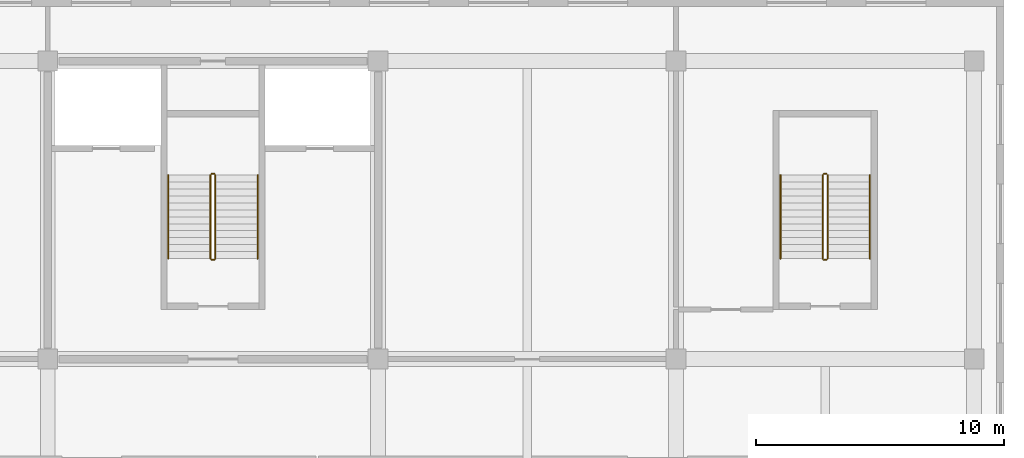
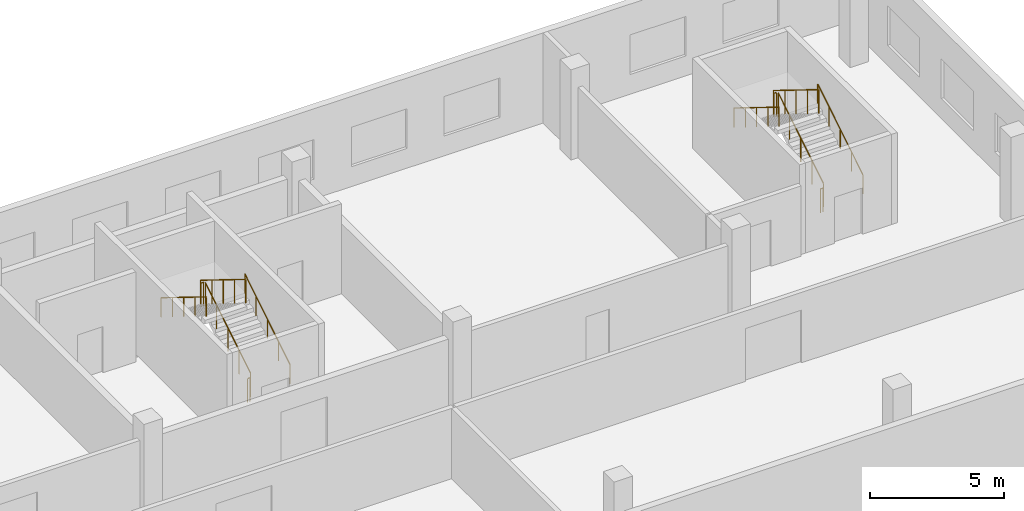
# One storey, part 38 of 38: 12 railings.
"""IFC4 building model written with IfcOpenShell, lengths in metres."""

from ifc_helpers import new_model, si_unit, direction, frame, origin, origin_2d, place, context, subcontext, project, spatial, circle, extrude, material, type_object, element, save


model = new_model("IFC4")

# Units and contexts
model_context = context("Model", 3, precision=1e-05, world=origin(), true_north=direction((0.0, 1.0)))
body_context = subcontext(model_context, "Body", "Model", "MODEL_VIEW")
ifc_project = project(units=[si_unit("LENGTHUNIT", "METRE"), si_unit("AREAUNIT", "SQUARE_METRE"), si_unit("VOLUMEUNIT", "CUBIC_METRE"), si_unit("PLANEANGLEUNIT", "RADIAN"), si_unit("MASSUNIT", "GRAM", prefix="KILO")], contexts=[model_context])

# Site, building, storey
site_placement = place(None, origin())
site = spatial("IfcSite", under=ifc_project, at=site_placement, CompositionType="ELEMENT")
building_placement = place(site_placement, origin())
building = spatial("IfcBuilding", under=site, at=building_placement, Name="Kilnfold Tower and Market Hall", CompositionType="ELEMENT")
storey_placement = place(building_placement, frame((0.0, 0.0, 9.0)))
storey = spatial("IfcBuildingStorey", under=building, at=storey_placement, Name="L01", CompositionType="ELEMENT", Elevation=9.0)

# Railings
ifc_material_1 = material(Name="Steel S355", Category="steel")
railing_type_1 = type_object("IfcRailingType", Name="HALL STAIR GUARD 1100", PredefinedType="GUARDRAIL", material=ifc_material_1)
railing_1_placement = place(storey_placement, frame((24.10009765625, 46.699951171875, 0.173095703125)))
element("IfcRailing", 1, at=railing_1_placement, inside=storey, type_object=railing_type_1, Name="L01 MS5 stair guard 1", PredefinedType="GUARDRAIL", context=body_context, shape_type="SweptSolid", body=[
    extrude(circle(Radius=0.02392578125, at=origin_2d()), frame((0.0, 0.0, 1.076171875), z_axis=(0.0, 0.850623216509, 0.525775754039), x_axis=(-1.0, 0.0, 0.0)), (0.0, 0.0, 1.0), 3.9501953125),
    extrude(circle(Radius=0.02099609375, at=origin_2d()), origin(), (0.0, 0.0, 1.0), 1.052001953125),
    extrude(circle(Radius=0.02099609375, at=origin_2d()), frame((0.0, 0.840087890625, 0.519287109375)), (0.0, 0.0, 1.0), 1.052001953125),
    extrude(circle(Radius=0.02099609375, at=origin_2d()), frame((0.0, 1.68017578125, 1.03857421875)), (0.0, 0.0, 1.0), 1.052001953125),
    extrude(circle(Radius=0.02099609375, at=origin_2d()), frame((0.0, 2.52001953125, 1.5576171875)), (0.0, 0.0, 1.0), 1.052001953125),
    extrude(circle(Radius=0.02099609375, at=origin_2d()), frame((0.0, 3.360107421875, 2.076904296875)), (0.0, 0.0, 1.0), 1.052001953125),
])
railing_2_placement = place(storey_placement, frame((24.050048828125, 50.110107421875, 2.25)))
element("IfcRailing", 2, at=railing_2_placement, inside=storey, type_object=railing_type_1, Name="L01 MS5 stair guard 2", PredefinedType="GUARDRAIL", context=body_context, shape_type="SweptSolid", body=[
    extrude(circle(Radius=0.02392578125, at=origin_2d()), frame((0.0, 0.0, 1.076171875), z_axis=(-1.0, 0.0, 0.0), x_axis=(0.0, -1.0, 0.0)), (0.0, 0.0, 1.0), 0.10009765625),
    extrude(circle(Radius=0.02099609375, at=origin_2d()), origin(), (0.0, 0.0, 1.0), 1.052001953125),
    extrude(circle(Radius=0.02099609375, at=origin_2d()), frame((-0.10009765625, 0.0, 0.0)), (0.0, 0.0, 1.0), 1.052001953125),
])
railing_3_placement = place(storey_placement, frame((23.89990234375, 50.06005859375, 2.423095703125)))
element("IfcRailing", 3, at=railing_3_placement, inside=storey, type_object=railing_type_1, Name="L01 MS5 stair guard 3", PredefinedType="GUARDRAIL", context=body_context, shape_type="SweptSolid", body=[
    extrude(circle(Radius=0.02392578125, at=origin_2d()), frame((0.0, 0.0, 1.076171875), z_axis=(0.0, -0.850623216509, 0.525775754039), x_axis=(1.0, 0.0, 0.0)), (0.0, 0.0, 1.0), 3.9501953125),
    extrude(circle(Radius=0.02099609375, at=origin_2d()), origin(), (0.0, 0.0, 1.0), 1.052001953125),
    extrude(circle(Radius=0.02099609375, at=origin_2d()), frame((0.0, -0.840087890625, 0.519287109375)), (0.0, 0.0, 1.0), 1.052001953125),
    extrude(circle(Radius=0.02099609375, at=origin_2d()), frame((0.0, -1.68017578125, 1.03857421875)), (0.0, 0.0, 1.0), 1.052001953125),
    extrude(circle(Radius=0.02099609375, at=origin_2d()), frame((0.0, -2.52001953125, 1.5576171875)), (0.0, 0.0, 1.0), 1.052001953125),
    extrude(circle(Radius=0.02099609375, at=origin_2d()), frame((0.0, -3.360107421875, 2.076904296875)), (0.0, 0.0, 1.0), 1.052001953125),
])
railing_4_placement = place(storey_placement, frame((24.050048828125, 46.64990234375, 0.0)))
element("IfcRailing", 4, at=railing_4_placement, inside=storey, type_object=railing_type_1, Name="L01 MS5 stair guard 4", PredefinedType="GUARDRAIL", context=body_context, shape_type="SweptSolid", body=[
    extrude(circle(Radius=0.02392578125, at=origin_2d()), frame((0.0, 0.0, 1.076171875), z_axis=(-1.0, 0.0, 0.0), x_axis=(0.0, -1.0, 0.0)), (0.0, 0.0, 1.0), 0.10009765625),
    extrude(circle(Radius=0.02099609375, at=origin_2d()), origin(), (0.0, 0.0, 1.0), 1.052001953125),
    extrude(circle(Radius=0.02099609375, at=origin_2d()), frame((-0.10009765625, 0.0, 0.0)), (0.0, 0.0, 1.0), 1.052001953125),
])
railing_5_placement = place(storey_placement, frame((48.75, 46.699951171875, 0.173095703125)))
element("IfcRailing", 5, at=railing_5_placement, inside=storey, type_object=railing_type_1, Name="L01 MS6 stair guard 1", PredefinedType="GUARDRAIL", context=body_context, shape_type="SweptSolid", body=[
    extrude(circle(Radius=0.02392578125, at=origin_2d()), frame((0.0, 0.0, 1.076171875), z_axis=(0.0, 0.850623216509, 0.525775754039), x_axis=(-1.0, 0.0, 0.0)), (0.0, 0.0, 1.0), 3.9501953125),
    extrude(circle(Radius=0.02099609375, at=origin_2d()), origin(), (0.0, 0.0, 1.0), 1.052001953125),
    extrude(circle(Radius=0.02099609375, at=origin_2d()), frame((0.0, 0.840087890625, 0.519287109375)), (0.0, 0.0, 1.0), 1.052001953125),
    extrude(circle(Radius=0.02099609375, at=origin_2d()), frame((0.0, 1.68017578125, 1.03857421875)), (0.0, 0.0, 1.0), 1.052001953125),
    extrude(circle(Radius=0.02099609375, at=origin_2d()), frame((0.0, 2.52001953125, 1.5576171875)), (0.0, 0.0, 1.0), 1.052001953125),
    extrude(circle(Radius=0.02099609375, at=origin_2d()), frame((0.0, 3.360107421875, 2.076904296875)), (0.0, 0.0, 1.0), 1.052001953125),
])
railing_6_placement = place(storey_placement, frame((48.699951171875, 50.110107421875, 2.25)))
element("IfcRailing", 6, at=railing_6_placement, inside=storey, type_object=railing_type_1, Name="L01 MS6 stair guard 2", PredefinedType="GUARDRAIL", context=body_context, shape_type="SweptSolid", body=[
    extrude(circle(Radius=0.02392578125, at=origin_2d()), frame((0.0, 0.0, 1.076171875), z_axis=(-1.0, 0.0, 0.0), x_axis=(0.0, -1.0, 0.0)), (0.0, 0.0, 1.0), 0.099853515625),
    extrude(circle(Radius=0.02099609375, at=origin_2d()), origin(), (0.0, 0.0, 1.0), 1.052001953125),
    extrude(circle(Radius=0.02099609375, at=origin_2d()), frame((-0.099853515625, 0.0, 0.0)), (0.0, 0.0, 1.0), 1.052001953125),
])
railing_7_placement = place(storey_placement, frame((48.550048828125, 50.06005859375, 2.423095703125)))
element("IfcRailing", 7, at=railing_7_placement, inside=storey, type_object=railing_type_1, Name="L01 MS6 stair guard 3", PredefinedType="GUARDRAIL", context=body_context, shape_type="SweptSolid", body=[
    extrude(circle(Radius=0.02392578125, at=origin_2d()), frame((0.0, 0.0, 1.076171875), z_axis=(0.0, -0.850623216509, 0.525775754039), x_axis=(1.0, 0.0, 0.0)), (0.0, 0.0, 1.0), 3.9501953125),
    extrude(circle(Radius=0.02099609375, at=origin_2d()), origin(), (0.0, 0.0, 1.0), 1.052001953125),
    extrude(circle(Radius=0.02099609375, at=origin_2d()), frame((0.0, -0.840087890625, 0.519287109375)), (0.0, 0.0, 1.0), 1.052001953125),
    extrude(circle(Radius=0.02099609375, at=origin_2d()), frame((0.0, -1.68017578125, 1.03857421875)), (0.0, 0.0, 1.0), 1.052001953125),
    extrude(circle(Radius=0.02099609375, at=origin_2d()), frame((0.0, -2.52001953125, 1.5576171875)), (0.0, 0.0, 1.0), 1.052001953125),
    extrude(circle(Radius=0.02099609375, at=origin_2d()), frame((0.0, -3.360107421875, 2.076904296875)), (0.0, 0.0, 1.0), 1.052001953125),
])
railing_8_placement = place(storey_placement, frame((48.699951171875, 46.64990234375, 0.0)))
element("IfcRailing", 8, at=railing_8_placement, inside=storey, type_object=railing_type_1, Name="L01 MS6 stair guard 4", PredefinedType="GUARDRAIL", context=body_context, shape_type="SweptSolid", body=[
    extrude(circle(Radius=0.02392578125, at=origin_2d()), frame((0.0, 0.0, 1.076171875), z_axis=(-1.0, 0.0, 0.0), x_axis=(0.0, -1.0, 0.0)), (0.0, 0.0, 1.0), 0.099853515625),
    extrude(circle(Radius=0.02099609375, at=origin_2d()), origin(), (0.0, 0.0, 1.0), 1.052001953125),
    extrude(circle(Radius=0.02099609375, at=origin_2d()), frame((-0.099853515625, 0.0, 0.0)), (0.0, 0.0, 1.0), 1.052001953125),
])
ifc_material_2 = material(Name="Steel S355", Category="steel")
railing_type_2 = type_object("IfcRailingType", Name="HALL STAIR HANDRAIL", PredefinedType="HANDRAIL", material=ifc_material_2)
railing_9_placement = place(storey_placement, frame((25.800048828125, 46.699951171875, 0.173095703125)))
element("IfcRailing", 9, at=railing_9_placement, inside=storey, type_object=railing_type_2, Name="L01 MS5 stair handrail 1", PredefinedType="HANDRAIL", context=body_context, shape_type="SweptSolid", body=[
    extrude(circle(Radius=0.02392578125, at=origin_2d()), frame((0.0, 0.0, 0.8759765625), z_axis=(0.0, 0.850623216509, 0.525775754039), x_axis=(-1.0, 0.0, 0.0)), (0.0, 0.0, 1.0), 3.9501953125),
    extrude(circle(Radius=0.02099609375, at=origin_2d()), origin(), (0.0, 0.0, 1.0), 0.851806640625),
    extrude(circle(Radius=0.02099609375, at=origin_2d()), frame((0.0, 0.840087890625, 0.519287109375)), (0.0, 0.0, 1.0), 0.851806640625),
    extrude(circle(Radius=0.02099609375, at=origin_2d()), frame((0.0, 1.68017578125, 1.03857421875)), (0.0, 0.0, 1.0), 0.851806640625),
    extrude(circle(Radius=0.02099609375, at=origin_2d()), frame((0.0, 2.52001953125, 1.5576171875)), (0.0, 0.0, 1.0), 0.851806640625),
    extrude(circle(Radius=0.02099609375, at=origin_2d()), frame((0.0, 3.360107421875, 2.076904296875)), (0.0, 0.0, 1.0), 0.851806640625),
])
railing_10_placement = place(storey_placement, frame((22.199951171875, 50.06005859375, 2.423095703125)))
element("IfcRailing", 10, at=railing_10_placement, inside=storey, type_object=railing_type_2, Name="L01 MS5 stair handrail 2", PredefinedType="HANDRAIL", context=body_context, shape_type="SweptSolid", body=[
    extrude(circle(Radius=0.02392578125, at=origin_2d()), frame((0.0, 0.0, 0.8759765625), z_axis=(0.0, -0.850623216509, 0.525775754039), x_axis=(1.0, 0.0, 0.0)), (0.0, 0.0, 1.0), 3.9501953125),
    extrude(circle(Radius=0.02099609375, at=origin_2d()), origin(), (0.0, 0.0, 1.0), 0.851806640625),
    extrude(circle(Radius=0.02099609375, at=origin_2d()), frame((0.0, -0.840087890625, 0.519287109375)), (0.0, 0.0, 1.0), 0.851806640625),
    extrude(circle(Radius=0.02099609375, at=origin_2d()), frame((0.0, -1.68017578125, 1.03857421875)), (0.0, 0.0, 1.0), 0.851806640625),
    extrude(circle(Radius=0.02099609375, at=origin_2d()), frame((0.0, -2.52001953125, 1.5576171875)), (0.0, 0.0, 1.0), 0.851806640625),
    extrude(circle(Radius=0.02099609375, at=origin_2d()), frame((0.0, -3.360107421875, 2.076904296875)), (0.0, 0.0, 1.0), 0.851806640625),
])
railing_11_placement = place(storey_placement, frame((50.449951171875, 46.699951171875, 0.173095703125)))
element("IfcRailing", 11, at=railing_11_placement, inside=storey, type_object=railing_type_2, Name="L01 MS6 stair handrail 1", PredefinedType="HANDRAIL", context=body_context, shape_type="SweptSolid", body=[
    extrude(circle(Radius=0.02392578125, at=origin_2d()), frame((0.0, 0.0, 0.8759765625), z_axis=(0.0, 0.850623216509, 0.525775754039), x_axis=(-1.0, 0.0, 0.0)), (0.0, 0.0, 1.0), 3.9501953125),
    extrude(circle(Radius=0.02099609375, at=origin_2d()), origin(), (0.0, 0.0, 1.0), 0.851806640625),
    extrude(circle(Radius=0.02099609375, at=origin_2d()), frame((0.0, 0.840087890625, 0.519287109375)), (0.0, 0.0, 1.0), 0.851806640625),
    extrude(circle(Radius=0.02099609375, at=origin_2d()), frame((0.0, 1.68017578125, 1.03857421875)), (0.0, 0.0, 1.0), 0.851806640625),
    extrude(circle(Radius=0.02099609375, at=origin_2d()), frame((0.0, 2.52001953125, 1.5576171875)), (0.0, 0.0, 1.0), 0.851806640625),
    extrude(circle(Radius=0.02099609375, at=origin_2d()), frame((0.0, 3.360107421875, 2.076904296875)), (0.0, 0.0, 1.0), 0.851806640625),
])
railing_12_placement = place(storey_placement, frame((46.85009765625, 50.06005859375, 2.423095703125)))
element("IfcRailing", 12, at=railing_12_placement, inside=storey, type_object=railing_type_2, Name="L01 MS6 stair handrail 2", PredefinedType="HANDRAIL", context=body_context, shape_type="SweptSolid", body=[
    extrude(circle(Radius=0.02392578125, at=origin_2d()), frame((0.0, 0.0, 0.8759765625), z_axis=(0.0, -0.850623216509, 0.525775754039), x_axis=(1.0, 0.0, 0.0)), (0.0, 0.0, 1.0), 3.9501953125),
    extrude(circle(Radius=0.02099609375, at=origin_2d()), origin(), (0.0, 0.0, 1.0), 0.851806640625),
    extrude(circle(Radius=0.02099609375, at=origin_2d()), frame((0.0, -0.840087890625, 0.519287109375)), (0.0, 0.0, 1.0), 0.851806640625),
    extrude(circle(Radius=0.02099609375, at=origin_2d()), frame((0.0, -1.68017578125, 1.03857421875)), (0.0, 0.0, 1.0), 0.851806640625),
    extrude(circle(Radius=0.02099609375, at=origin_2d()), frame((0.0, -2.52001953125, 1.5576171875)), (0.0, 0.0, 1.0), 0.851806640625),
    extrude(circle(Radius=0.02099609375, at=origin_2d()), frame((0.0, -3.360107421875, 2.076904296875)), (0.0, 0.0, 1.0), 0.851806640625),
])

save(model, "model.ifc")
